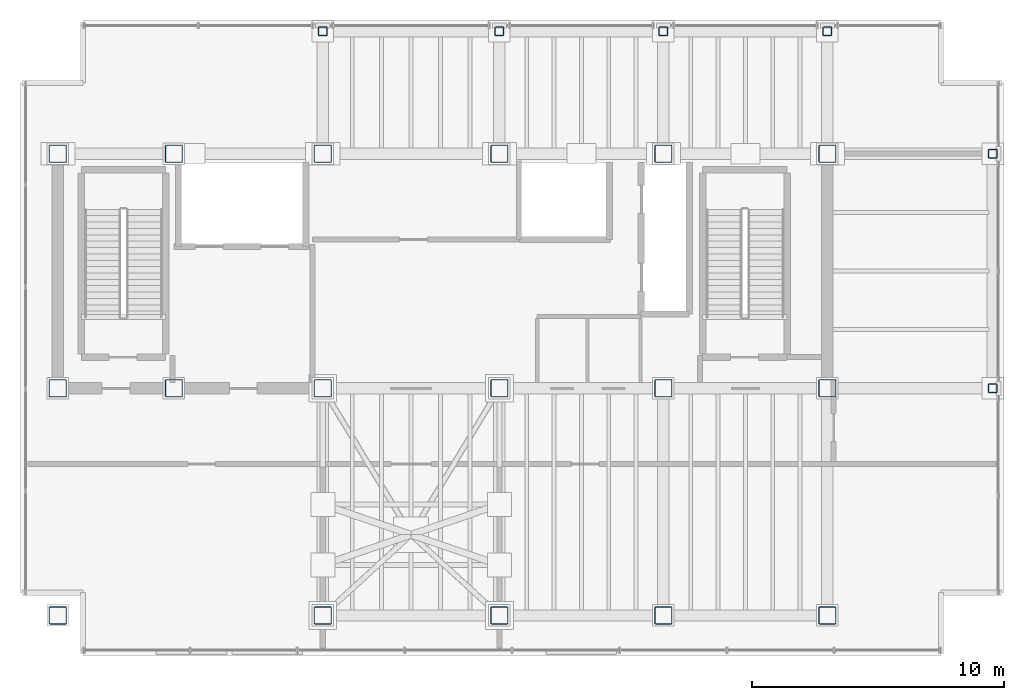
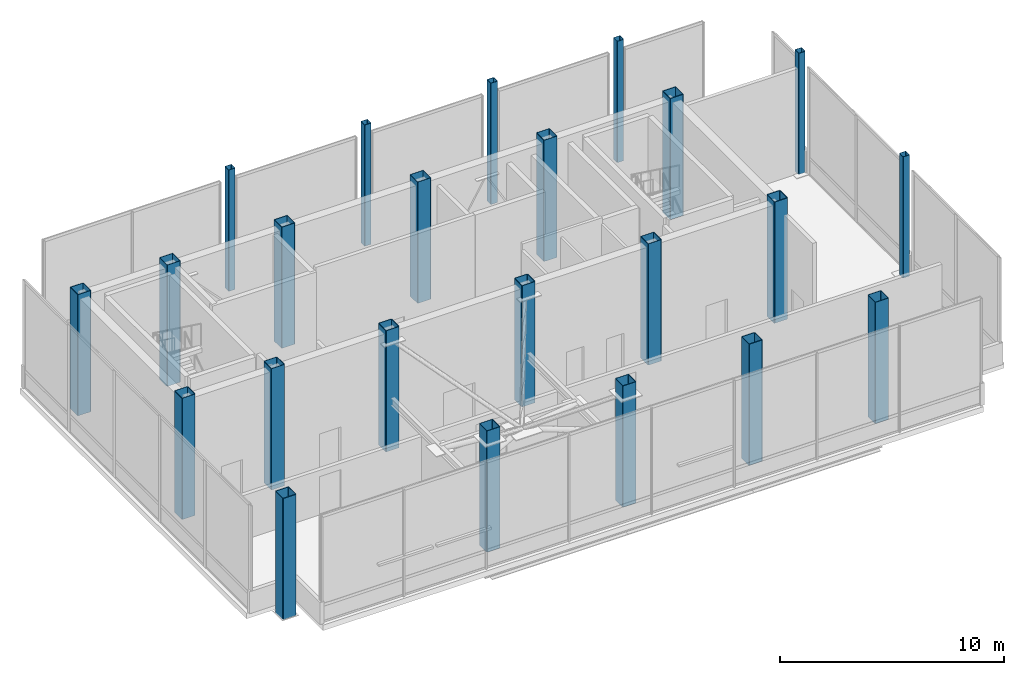
# One storey, part 1 of 19: 23 columns.
"""IFC4 building model written with IfcOpenShell, lengths in metres."""

from ifc_helpers import new_model, si_unit, direction, frame, origin, origin_2d, place, context, subcontext, project, spatial, hollow_rectangle, extrude, material, material_profile, profile_set, type_object, element, save


model = new_model("IFC4")

# Units and contexts
model_context = context("Model", 3, precision=1e-05, world=origin(), true_north=direction((0.0, 1.0)))
body_context = subcontext(model_context, "Body", "Model", "MODEL_VIEW")
ifc_project = project(units=[si_unit("LENGTHUNIT", "METRE"), si_unit("AREAUNIT", "SQUARE_METRE"), si_unit("VOLUMEUNIT", "CUBIC_METRE"), si_unit("PLANEANGLEUNIT", "RADIAN"), si_unit("MASSUNIT", "GRAM", prefix="KILO")], contexts=[model_context])

# Site, building, storey
site_placement = place(None, origin())
site = spatial("IfcSite", under=ifc_project, at=site_placement, CompositionType="ELEMENT")
building_placement = place(site_placement, origin())
building = spatial("IfcBuilding", under=site, at=building_placement, Name="Noeulbin Bourse Tower", CompositionType="ELEMENT")
storey_placement = place(building_placement, frame((0.0, 0.0, 306.0)))
storey = spatial("IfcBuildingStorey", under=building, at=storey_placement, Name="L76", CompositionType="ELEMENT", Elevation=306.0)

# Columns
ifc_material = material(Name="Steel S355", Category="steel")
ifc_material_profile_1 = material_profile(ifc_material, hollow_rectangle(XDim=0.35009765625, YDim=0.35009765625, WallThickness=0.01611328125, InnerFilletRadius=0.01611328125, OuterFilletRadius=0.031982421875, at=origin_2d()), Name="SHS-350x350x16", Category="LoadBearing")
ifc_profile_set_1 = profile_set([ifc_material_profile_1], Name="Steel S355")
column_type_1 = type_object("IfcColumnType", Name="COL-CRN-Z5", PredefinedType="COLUMN", material=ifc_profile_set_1)
for number, where, z_axis, x_axis, name in (
    (1, (24.0, 43.14990234375, 0.0), (0.0, 0.0, 1.0), (1.0, 0.0, 0.0), "Tower Perimeter Column COL-CRN-Z5 01"),
    (2, (31.0, 43.14990234375, 0.0), (0.0, 0.0, 1.0), (1.0, 0.0, 0.0), "Tower Perimeter Column COL-CRN-Z5 02"),
    (3, (37.5, 43.14990234375, 0.0), (0.0, 0.0, 1.0), (1.0, 0.0, 0.0), "Tower Perimeter Column COL-CRN-Z5 03"),
    (4, (44.0, 43.14990234375, 0.0), (0.0, 0.0, 1.0), (1.0, 0.0, 0.0), "Tower Perimeter Column COL-CRN-Z5 04"),
    (5, (50.550048828125, 29.0, 0.0), (0.0, 0.0, 1.0), (1.0, 0.0, 0.0), "Tower Perimeter Column COL-CRN-Z5 05"),
    (6, (50.550048828125, 38.300048828125, 0.0), (0.0, 0.0, 1.0), (1.0, 0.0, 0.0), "Tower Perimeter Column COL-CRN-Z5 06"),
):
    element("IfcColumn", number, at=place(storey_placement, frame(where, z_axis=z_axis, x_axis=x_axis)), inside=storey, type_object=column_type_1, Name=name, PredefinedType="COLUMN", context=body_context, shape_type="SweptSolid", body=[
        extrude(hollow_rectangle(XDim=0.35009765625, YDim=0.35009765625, WallThickness=0.01611328125, InnerFilletRadius=0.01611328125, OuterFilletRadius=0.031982421875, at=origin_2d()), origin(), (0.0, 0.0, 1.0), 6.60009765625),
    ])
ifc_material_profile_2 = material_profile(ifc_material, hollow_rectangle(XDim=0.699951171875, YDim=0.699951171875, WallThickness=0.028076171875, InnerFilletRadius=0.013916015625, OuterFilletRadius=0.0419921875, at=origin_2d()), Name="BOX-700x700x28", Category="LoadBearing")
ifc_profile_set_2 = profile_set([ifc_material_profile_2], Name="Steel S355")
column_type_2 = type_object("IfcColumnType", Name="COL-TRK-Z4", PredefinedType="COLUMN", material=ifc_profile_set_2)
for number, where, z_axis, x_axis, name in (
    (7, (13.5, 29.0, 0.0), (0.0, 0.0, 1.0), (1.0, 0.0, 0.0), "Tower Trunk Mega-Column COL-TRK-Z4 01"),
    (8, (13.5, 38.300048828125, 0.0), (0.0, 0.0, 1.0), (1.0, 0.0, 0.0), "Tower Trunk Mega-Column COL-TRK-Z4 02"),
    (9, (18.10009765625, 29.0, 0.0), (0.0, 0.0, 1.0), (1.0, 0.0, 0.0), "Tower Trunk Mega-Column COL-TRK-Z4 03"),
    (10, (18.10009765625, 38.300048828125, 0.0), (0.0, 0.0, 1.0), (1.0, 0.0, 0.0), "Tower Trunk Mega-Column COL-TRK-Z4 04"),
    (11, (24.0, 29.0, 0.0), (0.0, 0.0, 1.0), (1.0, 0.0, 0.0), "Tower Trunk Mega-Column COL-TRK-Z4 05"),
    (12, (24.0, 38.300048828125, 0.0), (0.0, 0.0, 1.0), (1.0, 0.0, 0.0), "Tower Trunk Mega-Column COL-TRK-Z4 06"),
    (13, (31.0, 29.0, 0.0), (0.0, 0.0, 1.0), (1.0, 0.0, 0.0), "Tower Trunk Mega-Column COL-TRK-Z4 07"),
    (14, (31.0, 38.300048828125, 0.0), (0.0, 0.0, 1.0), (1.0, 0.0, 0.0), "Tower Trunk Mega-Column COL-TRK-Z4 08"),
    (15, (37.5, 29.0, 0.0), (0.0, 0.0, 1.0), (1.0, 0.0, 0.0), "Tower Trunk Mega-Column COL-TRK-Z4 09"),
    (16, (37.5, 38.300048828125, 0.0), (0.0, 0.0, 1.0), (1.0, 0.0, 0.0), "Tower Trunk Mega-Column COL-TRK-Z4 10"),
    (17, (44.0, 29.0, 0.0), (0.0, 0.0, 1.0), (1.0, 0.0, 0.0), "Tower Trunk Mega-Column COL-TRK-Z4 11"),
    (18, (44.0, 38.300048828125, 0.0), (0.0, 0.0, 1.0), (1.0, 0.0, 0.0), "Tower Trunk Mega-Column COL-TRK-Z4 12"),
    (19, (13.5, 20.0, 0.0), (0.0, 0.0, 1.0), (1.0, 0.0, 0.0), "Tower Trunk Mega-Column COL-TRK-Z4 13"),
    (20, (24.0, 20.0, 0.0), (0.0, 0.0, 1.0), (1.0, 0.0, 0.0), "Tower Trunk Mega-Column COL-TRK-Z4 14"),
    (21, (31.0, 20.0, 0.0), (0.0, 0.0, 1.0), (1.0, 0.0, 0.0), "Tower Trunk Mega-Column COL-TRK-Z4 15"),
    (22, (37.5, 20.0, 0.0), (0.0, 0.0, 1.0), (1.0, 0.0, 0.0), "Tower Trunk Mega-Column COL-TRK-Z4 16"),
    (23, (44.0, 20.0, 0.0), (0.0, 0.0, 1.0), (1.0, 0.0, 0.0), "Tower Trunk Mega-Column COL-TRK-Z4 17"),
):
    element("IfcColumn", number, at=place(storey_placement, frame(where, z_axis=z_axis, x_axis=x_axis)), inside=storey, type_object=column_type_2, Name=name, PredefinedType="COLUMN", context=body_context, shape_type="SweptSolid", body=[
        extrude(hollow_rectangle(XDim=0.699951171875, YDim=0.699951171875, WallThickness=0.028076171875, InnerFilletRadius=0.013916015625, OuterFilletRadius=0.0419921875, at=origin_2d()), origin(), (0.0, 0.0, 1.0), 6.60009765625),
    ])

save(model, "model.ifc")
